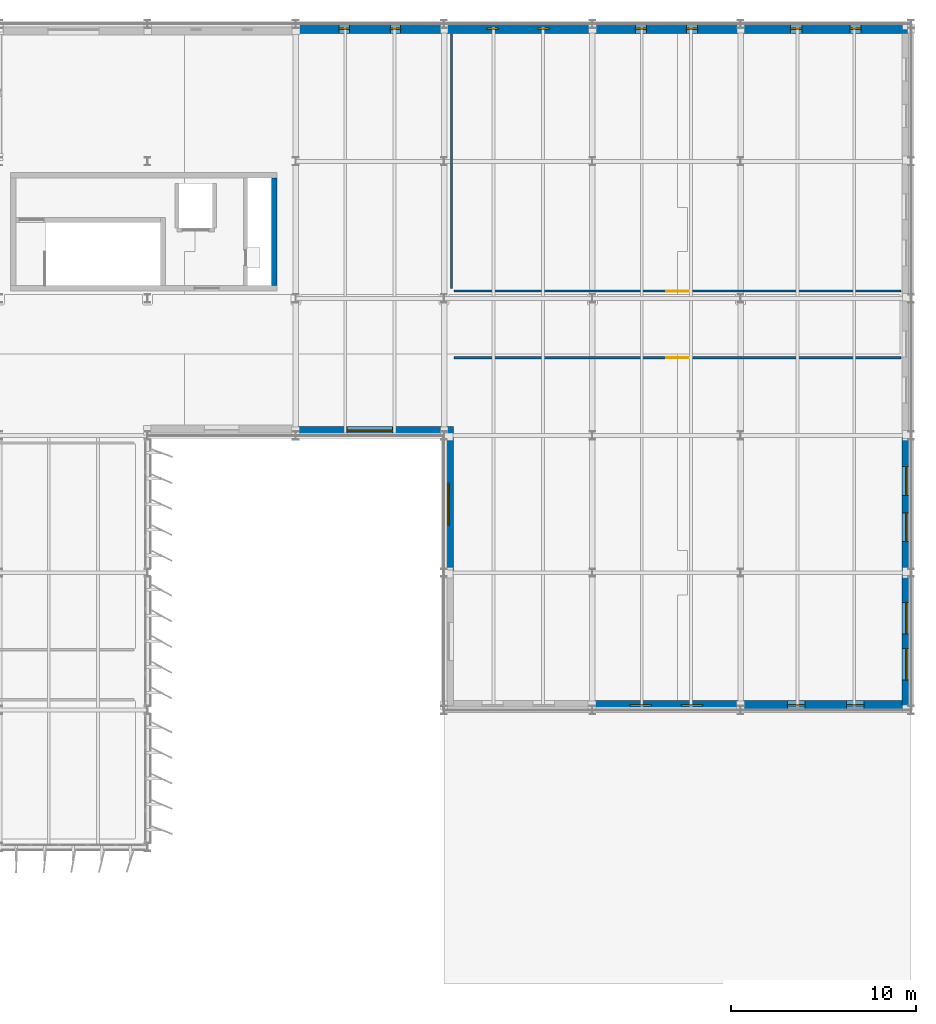
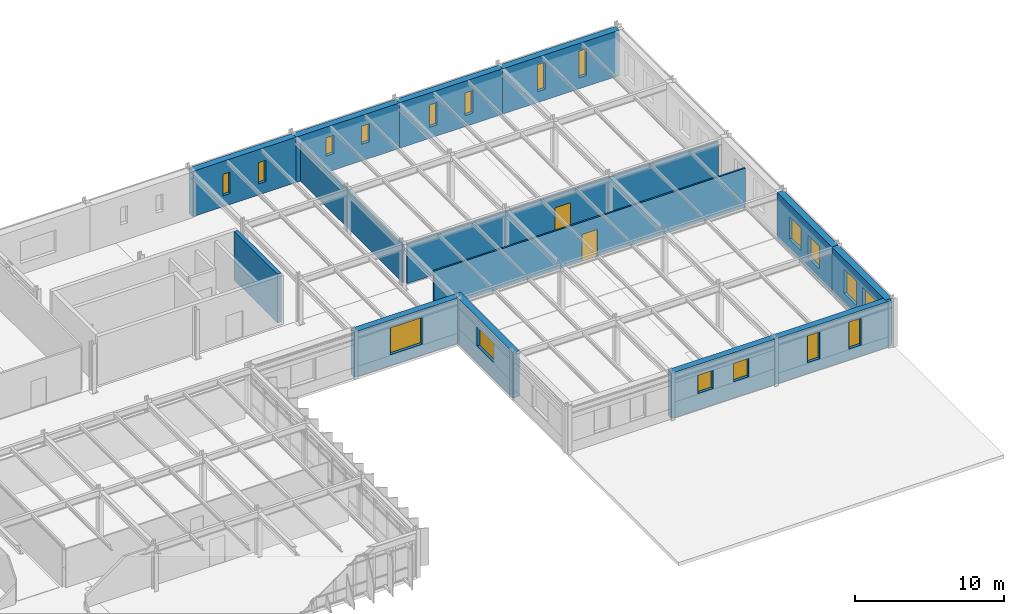
# One storey, part 42 of 56: 18 windows, 14 walls, 2 doors, 20 openings.
"""IFC4 building model written with IfcOpenShell, lengths in metres."""

from ifc_helpers import new_model, si_unit, direction, frame, frame_2d, origin, place, context, subcontext, project, spatial, rectangle, extrude, material, layer, layer_set, type_object, element, fill, save


model = new_model("IFC4")

# Units and contexts
model_context = context("Model", 3, precision=1e-05, world=origin(), true_north=direction((0.0, 1.0)))
body_context = subcontext(model_context, "Body", "Model", "MODEL_VIEW")
ifc_project = project(units=[si_unit("LENGTHUNIT", "METRE"), si_unit("AREAUNIT", "SQUARE_METRE"), si_unit("VOLUMEUNIT", "CUBIC_METRE"), si_unit("PLANEANGLEUNIT", "RADIAN"), si_unit("MASSUNIT", "GRAM", prefix="KILO")], contexts=[model_context])

# Site, building, storey
site_placement = place(None, origin())
site = spatial("IfcSite", under=ifc_project, at=site_placement, CompositionType="ELEMENT")
building_placement = place(site_placement, origin())
building = spatial("IfcBuilding", under=site, at=building_placement, Name="Valkorina Park Police Headquarters", CompositionType="ELEMENT")
storey_placement = place(building_placement, frame((0.0, 0.0, 14.10009765625)))
storey = spatial("IfcBuildingStorey", under=building, at=storey_placement, Name="L04", CompositionType="ELEMENT", Elevation=14.10009765625)

# Wall
ifc_material_1 = material(Name="Concrete C40/50", Category="concrete")
ifc_layer_1 = layer(ifc_material_1, 0.300048828125)
ifc_layer_set_1 = layer_set([ifc_layer_1], Name="Concrete C40/50")
wall_type_1 = type_object("IfcWallType", Name="WL-CORE-300-REI120", PredefinedType="SHEAR", material=ifc_layer_set_1)
wall_1_placement = place(storey_placement, frame((127.64990234375, 67.300048828125, 0.0), z_axis=(0.0, 0.0, 1.0), x_axis=(0.0, 1.0, 0.0)))
element("IfcWall", 1, at=wall_1_placement, inside=storey, type_object=wall_type_1, Name="Core C5 L04 Shear Wall E", PredefinedType="SHEAR", context=body_context, shape_type="SweptSolid", body=[
    extrude(rectangle(XDim=5.800048828125, YDim=0.300048828125, at=frame_2d((2.89990234375, 0.0))), origin(), (0.0, 0.0, 1.0), 3.994873046875),
])

# Wall, openings, windows
ifc_material_2 = material(Name="Precast concrete C40/50", Category="concrete")
ifc_layer_2 = layer(ifc_material_2, 0.5)
ifc_layer_set_2 = layer_set([ifc_layer_2], Name="Precast concrete C40/50")
wall_type_2 = type_object("IfcWallType", Name="WL-EXT-SPANDREL-500", PredefinedType="STANDARD", material=ifc_layer_set_2)
wall_2_placement = place(storey_placement, frame((128.800048828125, 81.14990234375, 0.0), z_axis=(0.0, 0.0, 1.0), x_axis=(1.0, 0.0, 0.0)))
wall_2 = element("IfcWall", 2, at=wall_2_placement, inside=storey, type_object=wall_type_2, Name="L04 Architectural Concrete Exterior Wall 0244", PredefinedType="STANDARD", context=body_context, shape_type="SweptSolid", body=[
    extrude(rectangle(XDim=8.0, YDim=0.5, at=frame_2d((4.0, 0.0))), origin(), (0.0, 0.0, 1.0), 3.719970703125),
])
opening_1_placement = place(wall_2_placement, frame((2.342529296875, 0.0, 0.89990234375)))
opening_1 = element("IfcOpeningElement", 3, at=opening_1_placement, cuts=wall_2, Name="Opening WN-02", PredefinedType="OPENING", context=body_context, shape_type="SweptSolid", body=[
    extrude(rectangle(XDim=0.550048828125, YDim=1.75, at=frame_2d((0.27490234375, 0.875))), frame((0.0, 0.260009765625, 0.0), z_axis=(0.0, -1.0, 0.0), x_axis=(1.0, 0.0, 0.0)), (0.0, 0.0, 1.0), 0.52001953125),
])
opening_2_placement = place(wall_2_placement, frame((5.107421875, 0.0, 0.89990234375)))
opening_2 = element("IfcOpeningElement", 4, at=opening_2_placement, cuts=wall_2, Name="Opening WN-02", PredefinedType="OPENING", context=body_context, shape_type="SweptSolid", body=[
    extrude(rectangle(XDim=0.550048828125, YDim=1.75, at=frame_2d((0.27490234375, 0.875))), frame((0.0, 0.260009765625, 0.0), z_axis=(0.0, -1.0, 0.0), x_axis=(1.0, 0.0, 0.0)), (0.0, 0.0, 1.0), 0.52001953125),
])
ifc_material_3 = material(Name="Triple low-E insulated glazing", Category="glass")
ifc_layer_3 = layer(ifc_material_3, 0.06005859375)
ifc_layer_set_3 = layer_set([ifc_layer_3], Name="Triple low-E insulated glazing")
window_type_1 = type_object("IfcWindowType", Name="WN-SLOT-550x1750", PartitioningType="SINGLE_PANEL", PredefinedType="WINDOW", material=ifc_layer_set_3)
window_1_placement = place(opening_1_placement, origin())
window_1 = element("IfcWindow", 5, at=window_1_placement, inside=storey, type_object=window_type_1, Name="Window L04-0412", OverallHeight=1.75, OverallWidth=0.550048828125, PartitioningType="SINGLE_PANEL", PredefinedType="WINDOW", context=body_context, shape_type="SweptSolid", body=[
    extrude(rectangle(XDim=0.550048828125, YDim=1.75, at=frame_2d((0.27490234375, 0.875))), frame((0.0, 0.030029296875, 0.0), z_axis=(0.0, -1.0, 0.0), x_axis=(1.0, 0.0, 0.0)), (0.0, 0.0, 1.0), 0.06005859375),
])
fill(opening_1, window_1)
window_2_placement = place(opening_2_placement, origin())
window_2 = element("IfcWindow", 6, at=window_2_placement, inside=storey, type_object=window_type_1, Name="Window L04-0413", OverallHeight=1.75, OverallWidth=0.550048828125, PartitioningType="SINGLE_PANEL", PredefinedType="WINDOW", context=body_context, shape_type="SweptSolid", body=[
    extrude(rectangle(XDim=0.550048828125, YDim=1.75, at=frame_2d((0.27490234375, 0.875))), frame((0.0, 0.030029296875, 0.0), z_axis=(0.0, -1.0, 0.0), x_axis=(1.0, 0.0, 0.0)), (0.0, 0.0, 1.0), 0.06005859375),
])
fill(opening_2, window_2)

wall_3_placement = place(storey_placement, frame((136.800048828125, 81.14990234375, 0.0), z_axis=(0.0, 0.0, 1.0), x_axis=(1.0, 0.0, 0.0)))
wall_3 = element("IfcWall", 7, at=wall_3_placement, inside=storey, type_object=wall_type_2, Name="L04 Architectural Concrete Exterior Wall 0245", PredefinedType="STANDARD", context=body_context, shape_type="SweptSolid", body=[
    extrude(rectangle(XDim=8.0, YDim=0.5, at=frame_2d((4.0, 0.0))), origin(), (0.0, 0.0, 1.0), 3.719970703125),
])
opening_3_placement = place(wall_3_placement, frame((2.317626953125, 0.0, 1.35009765625)))
opening_3 = element("IfcOpeningElement", 8, at=opening_3_placement, cuts=wall_3, Name="Opening WN-03", PredefinedType="OPENING", context=body_context, shape_type="SweptSolid", body=[
    extrude(rectangle(XDim=0.60009765625, YDim=1.5, at=frame_2d((0.300048828125, 0.75))), frame((0.0, 0.260009765625, 0.0), z_axis=(0.0, -1.0, 0.0), x_axis=(1.0, 0.0, 0.0)), (0.0, 0.0, 1.0), 0.52001953125),
])
opening_4_placement = place(wall_3_placement, frame((5.08251953125, 0.0, 1.35009765625)))
opening_4 = element("IfcOpeningElement", 9, at=opening_4_placement, cuts=wall_3, Name="Opening WN-03", PredefinedType="OPENING", context=body_context, shape_type="SweptSolid", body=[
    extrude(rectangle(XDim=0.60009765625, YDim=1.5, at=frame_2d((0.300048828125, 0.75))), frame((0.0, 0.260009765625, 0.0), z_axis=(0.0, -1.0, 0.0), x_axis=(1.0, 0.0, 0.0)), (0.0, 0.0, 1.0), 0.52001953125),
])
ifc_layer_4 = layer(ifc_material_3, 0.06005859375)
ifc_layer_set_4 = layer_set([ifc_layer_4], Name="Triple low-E insulated glazing")
window_type_2 = type_object("IfcWindowType", Name="WN-SLOT-600x1500", PartitioningType="SINGLE_PANEL", PredefinedType="WINDOW", material=ifc_layer_set_4)
window_3_placement = place(opening_3_placement, origin())
window_3 = element("IfcWindow", 10, at=window_3_placement, inside=storey, type_object=window_type_2, Name="Window L04-0414", OverallHeight=1.5, OverallWidth=0.60009765625, PartitioningType="SINGLE_PANEL", PredefinedType="WINDOW", context=body_context, shape_type="SweptSolid", body=[
    extrude(rectangle(XDim=0.60009765625, YDim=1.5, at=frame_2d((0.300048828125, 0.75))), frame((0.0, 0.030029296875, 0.0), z_axis=(0.0, -1.0, 0.0), x_axis=(1.0, 0.0, 0.0)), (0.0, 0.0, 1.0), 0.06005859375),
])
fill(opening_3, window_3)
window_4_placement = place(opening_4_placement, origin())
window_4 = element("IfcWindow", 11, at=window_4_placement, inside=storey, type_object=window_type_2, Name="Window L04-0415", OverallHeight=1.5, OverallWidth=0.60009765625, PartitioningType="SINGLE_PANEL", PredefinedType="WINDOW", context=body_context, shape_type="SweptSolid", body=[
    extrude(rectangle(XDim=0.60009765625, YDim=1.5, at=frame_2d((0.300048828125, 0.75))), frame((0.0, 0.030029296875, 0.0), z_axis=(0.0, -1.0, 0.0), x_axis=(1.0, 0.0, 0.0)), (0.0, 0.0, 1.0), 0.06005859375),
])
fill(opening_4, window_4)

wall_4_placement = place(storey_placement, frame((144.800048828125, 81.14990234375, 0.0), z_axis=(0.0, 0.0, 1.0), x_axis=(1.0, 0.0, 0.0)))
wall_4 = element("IfcWall", 12, at=wall_4_placement, inside=storey, type_object=wall_type_2, Name="L04 Architectural Concrete Exterior Wall 0246", PredefinedType="STANDARD", context=body_context, shape_type="SweptSolid", body=[
    extrude(rectangle(XDim=8.0, YDim=0.5, at=frame_2d((4.0, 0.0))), origin(), (0.0, 0.0, 1.0), 3.719970703125),
])
opening_5_placement = place(wall_4_placement, frame((2.317626953125, 0.0, 0.89990234375)))
opening_5 = element("IfcOpeningElement", 13, at=opening_5_placement, cuts=wall_4, Name="Opening WN-04", PredefinedType="OPENING", context=body_context, shape_type="SweptSolid", body=[
    extrude(rectangle(XDim=0.60009765625, YDim=1.85009765625, at=frame_2d((0.300048828125, 0.925048828125))), frame((0.0, 0.260009765625, 0.0), z_axis=(0.0, -1.0, 0.0), x_axis=(1.0, 0.0, 0.0)), (0.0, 0.0, 1.0), 0.52001953125),
])
opening_6_placement = place(wall_4_placement, frame((5.08251953125, 0.0, 0.89990234375)))
opening_6 = element("IfcOpeningElement", 14, at=opening_6_placement, cuts=wall_4, Name="Opening WN-04", PredefinedType="OPENING", context=body_context, shape_type="SweptSolid", body=[
    extrude(rectangle(XDim=0.60009765625, YDim=1.85009765625, at=frame_2d((0.300048828125, 0.925048828125))), frame((0.0, 0.260009765625, 0.0), z_axis=(0.0, -1.0, 0.0), x_axis=(1.0, 0.0, 0.0)), (0.0, 0.0, 1.0), 0.52001953125),
])
ifc_layer_5 = layer(ifc_material_3, 0.06005859375)
ifc_layer_set_5 = layer_set([ifc_layer_5], Name="Triple low-E insulated glazing")
window_type_3 = type_object("IfcWindowType", Name="WN-SLOT-600x1850", PartitioningType="SINGLE_PANEL", PredefinedType="WINDOW", material=ifc_layer_set_5)
window_5_placement = place(opening_5_placement, origin())
window_5 = element("IfcWindow", 15, at=window_5_placement, inside=storey, type_object=window_type_3, Name="Window L04-0416", OverallHeight=1.85009765625, OverallWidth=0.60009765625, PartitioningType="SINGLE_PANEL", PredefinedType="WINDOW", context=body_context, shape_type="SweptSolid", body=[
    extrude(rectangle(XDim=0.60009765625, YDim=1.85009765625, at=frame_2d((0.300048828125, 0.925048828125))), frame((0.0, 0.030029296875, 0.0), z_axis=(0.0, -1.0, 0.0), x_axis=(1.0, 0.0, 0.0)), (0.0, 0.0, 1.0), 0.06005859375),
])
fill(opening_5, window_5)
window_6_placement = place(opening_6_placement, origin())
window_6 = element("IfcWindow", 16, at=window_6_placement, inside=storey, type_object=window_type_3, Name="Window L04-0417", OverallHeight=1.85009765625, OverallWidth=0.60009765625, PartitioningType="SINGLE_PANEL", PredefinedType="WINDOW", context=body_context, shape_type="SweptSolid", body=[
    extrude(rectangle(XDim=0.60009765625, YDim=1.85009765625, at=frame_2d((0.300048828125, 0.925048828125))), frame((0.0, 0.030029296875, 0.0), z_axis=(0.0, -1.0, 0.0), x_axis=(1.0, 0.0, 0.0)), (0.0, 0.0, 1.0), 0.06005859375),
])
fill(opening_6, window_6)

wall_5_placement = place(storey_placement, frame((152.800048828125, 81.14990234375, 0.0), z_axis=(0.0, 0.0, 1.0), x_axis=(1.0, 0.0, 0.0)))
wall_5 = element("IfcWall", 17, at=wall_5_placement, inside=storey, type_object=wall_type_2, Name="L04 Architectural Concrete Exterior Wall 0247", PredefinedType="STANDARD", context=body_context, shape_type="SweptSolid", body=[
    extrude(rectangle(XDim=9.0400390625, YDim=0.5, at=frame_2d((4.52001953125, 0.0))), origin(), (0.0, 0.0, 1.0), 3.719970703125),
])
opening_7_placement = place(wall_5_placement, frame((2.70166015625, 0.0, 0.89990234375)))
opening_7 = element("IfcOpeningElement", 18, at=opening_7_placement, cuts=wall_5, Name="Opening WN-05", PredefinedType="OPENING", context=body_context, shape_type="SweptSolid", body=[
    extrude(rectangle(XDim=0.60009765625, YDim=2.199951171875, at=frame_2d((0.300048828125, 1.10009765625))), frame((0.0, 0.260009765625, 0.0), z_axis=(0.0, -1.0, 0.0), x_axis=(1.0, 0.0, 0.0)), (0.0, 0.0, 1.0), 0.52001953125),
])
opening_8_placement = place(wall_5_placement, frame((5.8984375, 0.0, 0.89990234375)))
opening_8 = element("IfcOpeningElement", 19, at=opening_8_placement, cuts=wall_5, Name="Opening WN-05", PredefinedType="OPENING", context=body_context, shape_type="SweptSolid", body=[
    extrude(rectangle(XDim=0.60009765625, YDim=2.199951171875, at=frame_2d((0.300048828125, 1.10009765625))), frame((0.0, 0.260009765625, 0.0), z_axis=(0.0, -1.0, 0.0), x_axis=(1.0, 0.0, 0.0)), (0.0, 0.0, 1.0), 0.52001953125),
])
ifc_layer_6 = layer(ifc_material_3, 0.06005859375)
ifc_layer_set_6 = layer_set([ifc_layer_6], Name="Triple low-E insulated glazing")
window_type_4 = type_object("IfcWindowType", Name="WN-SLOT-600x2200", PartitioningType="SINGLE_PANEL", PredefinedType="WINDOW", material=ifc_layer_set_6)
window_7_placement = place(opening_7_placement, origin())
window_7 = element("IfcWindow", 20, at=window_7_placement, inside=storey, type_object=window_type_4, Name="Window L04-0418", OverallHeight=2.199951171875, OverallWidth=0.60009765625, PartitioningType="SINGLE_PANEL", PredefinedType="WINDOW", context=body_context, shape_type="SweptSolid", body=[
    extrude(rectangle(XDim=0.60009765625, YDim=2.199951171875, at=frame_2d((0.300048828125, 1.10009765625))), frame((0.0, 0.030029296875, 0.0), z_axis=(0.0, -1.0, 0.0), x_axis=(1.0, 0.0, 0.0)), (0.0, 0.0, 1.0), 0.06005859375),
])
fill(opening_7, window_7)
window_8_placement = place(opening_8_placement, origin())
window_8 = element("IfcWindow", 21, at=window_8_placement, inside=storey, type_object=window_type_4, Name="Window L04-0419", OverallHeight=2.199951171875, OverallWidth=0.60009765625, PartitioningType="SINGLE_PANEL", PredefinedType="WINDOW", context=body_context, shape_type="SweptSolid", body=[
    extrude(rectangle(XDim=0.60009765625, YDim=2.199951171875, at=frame_2d((0.300048828125, 1.10009765625))), frame((0.0, 0.030029296875, 0.0), z_axis=(0.0, -1.0, 0.0), x_axis=(1.0, 0.0, 0.0)), (0.0, 0.0, 1.0), 0.06005859375),
])
fill(opening_8, window_8)

wall_6_placement = place(storey_placement, frame((161.75, 59.199951171875, 0.0), z_axis=(0.0, 0.0, 1.0), x_axis=(0.0, -1.0, 0.0)))
wall_6 = element("IfcWall", 22, at=wall_6_placement, inside=storey, type_object=wall_type_2, Name="L04 Architectural Concrete Exterior Wall 0251", PredefinedType="STANDARD", context=body_context, shape_type="SweptSolid", body=[
    extrude(rectangle(XDim=7.39990234375, YDim=0.5, at=frame_2d((3.699951171875, 0.0))), origin(), (0.0, 0.0, 1.0), 3.719970703125),
])
opening_9_placement = place(wall_6_placement, frame((1.677490234375, 0.0, 0.89990234375)))
opening_9 = element("IfcOpeningElement", 23, at=opening_9_placement, cuts=wall_6, Name="Opening WN-26", PredefinedType="OPENING", context=body_context, shape_type="SweptSolid", body=[
    extrude(rectangle(XDim=1.550048828125, YDim=1.85009765625, at=frame_2d((0.77490234375, 0.925048828125))), frame((0.0, 0.260009765625, 0.0), z_axis=(0.0, -1.0, 0.0), x_axis=(1.0, 0.0, 0.0)), (0.0, 0.0, 1.0), 0.52001953125),
])
opening_10_placement = place(wall_6_placement, frame((4.17236328125, 0.0, 0.89990234375)))
opening_10 = element("IfcOpeningElement", 24, at=opening_10_placement, cuts=wall_6, Name="Opening WN-26", PredefinedType="OPENING", context=body_context, shape_type="SweptSolid", body=[
    extrude(rectangle(XDim=1.550048828125, YDim=1.85009765625, at=frame_2d((0.77490234375, 0.925048828125))), frame((0.0, 0.260009765625, 0.0), z_axis=(0.0, -1.0, 0.0), x_axis=(1.0, 0.0, 0.0)), (0.0, 0.0, 1.0), 0.52001953125),
])
ifc_layer_7 = layer(ifc_material_3, 0.06005859375)
ifc_layer_set_7 = layer_set([ifc_layer_7], Name="Triple low-E insulated glazing")
window_type_5 = type_object("IfcWindowType", Name="WN-COURT-1550x1850", PartitioningType="SINGLE_PANEL", PredefinedType="WINDOW", material=ifc_layer_set_7)
window_9_placement = place(opening_9_placement, origin())
window_9 = element("IfcWindow", 25, at=window_9_placement, inside=storey, type_object=window_type_5, Name="Window L04-0426", OverallHeight=1.85009765625, OverallWidth=1.550048828125, PartitioningType="SINGLE_PANEL", PredefinedType="WINDOW", context=body_context, shape_type="SweptSolid", body=[
    extrude(rectangle(XDim=1.550048828125, YDim=1.85009765625, at=frame_2d((0.77490234375, 0.925048828125))), frame((0.0, 0.030029296875, 0.0), z_axis=(0.0, -1.0, 0.0), x_axis=(1.0, 0.0, 0.0)), (0.0, 0.0, 1.0), 0.06005859375),
])
fill(opening_9, window_9)
window_10_placement = place(opening_10_placement, origin())
window_10 = element("IfcWindow", 26, at=window_10_placement, inside=storey, type_object=window_type_5, Name="Window L04-0427", OverallHeight=1.85009765625, OverallWidth=1.550048828125, PartitioningType="SINGLE_PANEL", PredefinedType="WINDOW", context=body_context, shape_type="SweptSolid", body=[
    extrude(rectangle(XDim=1.550048828125, YDim=1.85009765625, at=frame_2d((0.77490234375, 0.925048828125))), frame((0.0, 0.030029296875, 0.0), z_axis=(0.0, -1.0, 0.0), x_axis=(1.0, 0.0, 0.0)), (0.0, 0.0, 1.0), 0.06005859375),
])
fill(opening_10, window_10)

wall_7_placement = place(storey_placement, frame((161.75, 51.800048828125, 0.0), z_axis=(0.0, 0.0, 1.0), x_axis=(0.0, -1.0, 0.0)))
wall_7 = element("IfcWall", 27, at=wall_7_placement, inside=storey, type_object=wall_type_2, Name="L04 Architectural Concrete Exterior Wall 0252", PredefinedType="STANDARD", context=body_context, shape_type="SweptSolid", body=[
    extrude(rectangle(XDim=7.1650390625, YDim=0.5, at=frame_2d((3.58251953125, 0.0))), origin(), (0.0, 0.0, 1.0), 3.719970703125),
])
opening_11_placement = place(wall_7_placement, frame((1.6025390625, 0.0, 0.89990234375)))
opening_11 = element("IfcOpeningElement", 28, at=opening_11_placement, cuts=wall_7, Name="Opening WN-28", PredefinedType="OPENING", context=body_context, shape_type="SweptSolid", body=[
    extrude(rectangle(XDim=1.699951171875, YDim=2.0, at=frame_2d((0.85009765625, 1.0))), frame((0.0, 0.260009765625, 0.0), z_axis=(0.0, -1.0, 0.0), x_axis=(1.0, 0.0, 0.0)), (0.0, 0.0, 1.0), 0.52001953125),
])
opening_12_placement = place(wall_7_placement, frame((4.097412109375, 0.0, 0.89990234375)))
opening_12 = element("IfcOpeningElement", 29, at=opening_12_placement, cuts=wall_7, Name="Opening WN-28", PredefinedType="OPENING", context=body_context, shape_type="SweptSolid", body=[
    extrude(rectangle(XDim=1.699951171875, YDim=2.0, at=frame_2d((0.85009765625, 1.0))), frame((0.0, 0.260009765625, 0.0), z_axis=(0.0, -1.0, 0.0), x_axis=(1.0, 0.0, 0.0)), (0.0, 0.0, 1.0), 0.52001953125),
])
ifc_layer_8 = layer(ifc_material_3, 0.06005859375)
ifc_layer_set_8 = layer_set([ifc_layer_8], Name="Triple low-E insulated glazing")
window_type_6 = type_object("IfcWindowType", Name="WN-COURT-1700x2000", PartitioningType="SINGLE_PANEL", PredefinedType="WINDOW", material=ifc_layer_set_8)
window_11_placement = place(opening_11_placement, origin())
window_11 = element("IfcWindow", 30, at=window_11_placement, inside=storey, type_object=window_type_6, Name="Window L04-0428", OverallHeight=2.0, OverallWidth=1.699951171875, PartitioningType="SINGLE_PANEL", PredefinedType="WINDOW", context=body_context, shape_type="SweptSolid", body=[
    extrude(rectangle(XDim=1.699951171875, YDim=2.0, at=frame_2d((0.85009765625, 1.0))), frame((0.0, 0.030029296875, 0.0), z_axis=(0.0, -1.0, 0.0), x_axis=(1.0, 0.0, 0.0)), (0.0, 0.0, 1.0), 0.06005859375),
])
fill(opening_11, window_11)
window_12_placement = place(opening_12_placement, origin())
window_12 = element("IfcWindow", 31, at=window_12_placement, inside=storey, type_object=window_type_6, Name="Window L04-0429", OverallHeight=2.0, OverallWidth=1.699951171875, PartitioningType="SINGLE_PANEL", PredefinedType="WINDOW", context=body_context, shape_type="SweptSolid", body=[
    extrude(rectangle(XDim=1.699951171875, YDim=2.0, at=frame_2d((0.85009765625, 1.0))), frame((0.0, 0.030029296875, 0.0), z_axis=(0.0, -1.0, 0.0), x_axis=(1.0, 0.0, 0.0)), (0.0, 0.0, 1.0), 0.06005859375),
])
fill(opening_12, window_12)

wall_8_placement = place(storey_placement, frame((161.840087890625, 44.64990234375, 0.0), z_axis=(0.0, 0.0, 1.0), x_axis=(-1.0, 0.0, 0.0)))
wall_8 = element("IfcWall", 32, at=wall_8_placement, inside=storey, type_object=wall_type_2, Name="L04 Architectural Concrete Exterior Wall 0253", PredefinedType="STANDARD", context=body_context, shape_type="SweptSolid", body=[
    extrude(rectangle(XDim=9.0400390625, YDim=0.5, at=frame_2d((4.52001953125, 0.0))), origin(), (0.0, 0.0, 1.0), 3.719970703125),
])
opening_13_placement = place(wall_8_placement, frame((2.36669921875, 0.0, 0.89990234375)))
opening_13 = element("IfcOpeningElement", 33, at=opening_13_placement, cuts=wall_8, Name="Opening WN-18", PredefinedType="OPENING", context=body_context, shape_type="SweptSolid", body=[
    extrude(rectangle(XDim=0.949951171875, YDim=2.199951171875, at=frame_2d((0.47509765625, 1.10009765625))), frame((0.0, 0.260009765625, 0.0), z_axis=(0.0, -1.0, 0.0), x_axis=(1.0, 0.0, 0.0)), (0.0, 0.0, 1.0), 0.52001953125),
])
opening_14_placement = place(wall_8_placement, frame((5.5634765625, 0.0, 0.89990234375)))
opening_14 = element("IfcOpeningElement", 34, at=opening_14_placement, cuts=wall_8, Name="Opening WN-18", PredefinedType="OPENING", context=body_context, shape_type="SweptSolid", body=[
    extrude(rectangle(XDim=0.949951171875, YDim=2.199951171875, at=frame_2d((0.47509765625, 1.10009765625))), frame((0.0, 0.260009765625, 0.0), z_axis=(0.0, -1.0, 0.0), x_axis=(1.0, 0.0, 0.0)), (0.0, 0.0, 1.0), 0.52001953125),
])
ifc_layer_9 = layer(ifc_material_3, 0.06005859375)
ifc_layer_set_9 = layer_set([ifc_layer_9], Name="Triple low-E insulated glazing")
window_type_7 = type_object("IfcWindowType", Name="WN-SLOT-950x2200", PartitioningType="SINGLE_PANEL", PredefinedType="WINDOW", material=ifc_layer_set_9)
window_13_placement = place(opening_13_placement, origin())
window_13 = element("IfcWindow", 35, at=window_13_placement, inside=storey, type_object=window_type_7, Name="Window L04-0430", OverallHeight=2.199951171875, OverallWidth=0.949951171875, PartitioningType="SINGLE_PANEL", PredefinedType="WINDOW", context=body_context, shape_type="SweptSolid", body=[
    extrude(rectangle(XDim=0.949951171875, YDim=2.199951171875, at=frame_2d((0.47509765625, 1.10009765625))), frame((0.0, 0.030029296875, 0.0), z_axis=(0.0, -1.0, 0.0), x_axis=(1.0, 0.0, 0.0)), (0.0, 0.0, 1.0), 0.06005859375),
])
fill(opening_13, window_13)
window_14_placement = place(opening_14_placement, origin())
window_14 = element("IfcWindow", 36, at=window_14_placement, inside=storey, type_object=window_type_7, Name="Window L04-0431", OverallHeight=2.199951171875, OverallWidth=0.949951171875, PartitioningType="SINGLE_PANEL", PredefinedType="WINDOW", context=body_context, shape_type="SweptSolid", body=[
    extrude(rectangle(XDim=0.949951171875, YDim=2.199951171875, at=frame_2d((0.47509765625, 1.10009765625))), frame((0.0, 0.030029296875, 0.0), z_axis=(0.0, -1.0, 0.0), x_axis=(1.0, 0.0, 0.0)), (0.0, 0.0, 1.0), 0.06005859375),
])
fill(opening_14, window_14)

wall_9_placement = place(storey_placement, frame((152.800048828125, 44.64990234375, 0.0), z_axis=(0.0, 0.0, 1.0), x_axis=(-1.0, 0.0, 0.0)))
wall_9 = element("IfcWall", 37, at=wall_9_placement, inside=storey, type_object=wall_type_2, Name="L04 Architectural Concrete Exterior Wall 0254", PredefinedType="STANDARD", context=body_context, shape_type="SweptSolid", body=[
    extrude(rectangle(XDim=8.0, YDim=0.5, at=frame_2d((4.0, 0.0))), origin(), (0.0, 0.0, 1.0), 3.719970703125),
])
opening_15_placement = place(wall_9_placement, frame((2.04248046875, 0.0, 1.35009765625)))
opening_15 = element("IfcOpeningElement", 38, at=opening_15_placement, cuts=wall_9, Name="Opening WN-19", PredefinedType="OPENING", context=body_context, shape_type="SweptSolid", body=[
    extrude(rectangle(XDim=1.14990234375, YDim=1.5, at=frame_2d((0.574951171875, 0.75))), frame((0.0, 0.260009765625, 0.0), z_axis=(0.0, -1.0, 0.0), x_axis=(1.0, 0.0, 0.0)), (0.0, 0.0, 1.0), 0.52001953125),
])
opening_16_placement = place(wall_9_placement, frame((4.807373046875, 0.0, 1.35009765625)))
opening_16 = element("IfcOpeningElement", 39, at=opening_16_placement, cuts=wall_9, Name="Opening WN-19", PredefinedType="OPENING", context=body_context, shape_type="SweptSolid", body=[
    extrude(rectangle(XDim=1.14990234375, YDim=1.5, at=frame_2d((0.574951171875, 0.75))), frame((0.0, 0.260009765625, 0.0), z_axis=(0.0, -1.0, 0.0), x_axis=(1.0, 0.0, 0.0)), (0.0, 0.0, 1.0), 0.52001953125),
])
ifc_layer_10 = layer(ifc_material_3, 0.06005859375)
ifc_layer_set_10 = layer_set([ifc_layer_10], Name="Triple low-E insulated glazing")
window_type_8 = type_object("IfcWindowType", Name="WN-LAB-1150x1500", PartitioningType="SINGLE_PANEL", PredefinedType="WINDOW", material=ifc_layer_set_10)
window_15_placement = place(opening_15_placement, origin())
window_15 = element("IfcWindow", 40, at=window_15_placement, inside=storey, type_object=window_type_8, Name="Window L04-0432", OverallHeight=1.5, OverallWidth=1.14990234375, PartitioningType="SINGLE_PANEL", PredefinedType="WINDOW", context=body_context, shape_type="SweptSolid", body=[
    extrude(rectangle(XDim=1.14990234375, YDim=1.5, at=frame_2d((0.574951171875, 0.75))), frame((0.0, 0.030029296875, 0.0), z_axis=(0.0, -1.0, 0.0), x_axis=(1.0, 0.0, 0.0)), (0.0, 0.0, 1.0), 0.06005859375),
])
fill(opening_15, window_15)
window_16_placement = place(opening_16_placement, origin())
window_16 = element("IfcWindow", 41, at=window_16_placement, inside=storey, type_object=window_type_8, Name="Window L04-0433", OverallHeight=1.5, OverallWidth=1.14990234375, PartitioningType="SINGLE_PANEL", PredefinedType="WINDOW", context=body_context, shape_type="SweptSolid", body=[
    extrude(rectangle(XDim=1.14990234375, YDim=1.5, at=frame_2d((0.574951171875, 0.75))), frame((0.0, 0.030029296875, 0.0), z_axis=(0.0, -1.0, 0.0), x_axis=(1.0, 0.0, 0.0)), (0.0, 0.0, 1.0), 0.06005859375),
])
fill(opening_16, window_16)

# Wall, opening, window
wall_10_placement = place(storey_placement, frame((137.050048828125, 51.800048828125, 0.0), z_axis=(0.0, 0.0, 1.0), x_axis=(0.0, 1.0, 0.0)))
wall_10 = element("IfcWall", 42, at=wall_10_placement, inside=storey, type_object=wall_type_2, Name="L04 Architectural Concrete Exterior Wall 0257", PredefinedType="STANDARD", context=body_context, shape_type="SweptSolid", body=[
    extrude(rectangle(XDim=7.89990234375, YDim=0.5, at=frame_2d((3.949951171875, 0.0))), origin(), (0.0, 0.0, 1.0), 3.719970703125),
])
opening_17_placement = place(wall_10_placement, frame((2.574951171875, 0.0, 1.35009765625)))
opening_17 = element("IfcOpeningElement", 43, at=opening_17_placement, cuts=wall_10, Name="Opening WN-33", PredefinedType="OPENING", context=body_context, shape_type="SweptSolid", body=[
    extrude(rectangle(XDim=2.25, YDim=1.550048828125, at=frame_2d((1.125, 0.77490234375))), frame((0.0, 0.260009765625, 0.0), z_axis=(0.0, -1.0, 0.0), x_axis=(1.0, 0.0, 0.0)), (0.0, 0.0, 1.0), 0.52001953125),
])
ifc_layer_11 = layer(ifc_material_3, 0.06005859375)
ifc_layer_set_11 = layer_set([ifc_layer_11], Name="Triple low-E insulated glazing")
window_type_9 = type_object("IfcWindowType", Name="WN-GYM-2250x1550", PartitioningType="SINGLE_PANEL", PredefinedType="WINDOW", material=ifc_layer_set_11)
window_17_placement = place(opening_17_placement, origin())
window_17 = element("IfcWindow", 44, at=window_17_placement, inside=storey, type_object=window_type_9, Name="Window L04-0437", OverallHeight=1.550048828125, OverallWidth=2.25, PartitioningType="SINGLE_PANEL", PredefinedType="WINDOW", context=body_context, shape_type="SweptSolid", body=[
    extrude(rectangle(XDim=2.25, YDim=1.550048828125, at=frame_2d((1.125, 0.77490234375))), frame((0.0, 0.030029296875, 0.0), z_axis=(0.0, -1.0, 0.0), x_axis=(1.0, 0.0, 0.0)), (0.0, 0.0, 1.0), 0.06005859375),
])
fill(opening_17, window_17)

wall_11_placement = place(storey_placement, frame((136.800048828125, 59.449951171875, 0.0), z_axis=(0.0, 0.0, 1.0), x_axis=(-1.0, 0.0, 0.0)))
wall_11 = element("IfcWall", 45, at=wall_11_placement, inside=storey, type_object=wall_type_2, Name="L04 Architectural Concrete Exterior Wall 0258", PredefinedType="STANDARD", context=body_context, shape_type="SweptSolid", body=[
    extrude(rectangle(XDim=8.0, YDim=0.5, at=frame_2d((4.0, 0.0))), origin(), (0.0, 0.0, 1.0), 3.719970703125),
])
opening_18_placement = place(wall_11_placement, frame((2.77490234375, 0.0, 0.89990234375)))
opening_18 = element("IfcOpeningElement", 46, at=opening_18_placement, cuts=wall_11, Name="Opening WN-34", PredefinedType="OPENING", context=body_context, shape_type="SweptSolid", body=[
    extrude(rectangle(XDim=2.449951171875, YDim=2.199951171875, at=frame_2d((1.22509765625, 1.10009765625))), frame((0.0, 0.260009765625, 0.0), z_axis=(0.0, -1.0, 0.0), x_axis=(1.0, 0.0, 0.0)), (0.0, 0.0, 1.0), 0.52001953125),
])
ifc_layer_12 = layer(ifc_material_3, 0.06005859375)
ifc_layer_set_12 = layer_set([ifc_layer_12], Name="Triple low-E insulated glazing")
window_type_10 = type_object("IfcWindowType", Name="WN-HALL-2450x2200", PartitioningType="SINGLE_PANEL", PredefinedType="WINDOW", material=ifc_layer_set_12)
window_18_placement = place(opening_18_placement, origin())
window_18 = element("IfcWindow", 47, at=window_18_placement, inside=storey, type_object=window_type_10, Name="Window L04-0438", OverallHeight=2.199951171875, OverallWidth=2.449951171875, PartitioningType="SINGLE_PANEL", PredefinedType="WINDOW", context=body_context, shape_type="SweptSolid", body=[
    extrude(rectangle(XDim=2.449951171875, YDim=2.199951171875, at=frame_2d((1.22509765625, 1.10009765625))), frame((0.0, 0.030029296875, 0.0), z_axis=(0.0, -1.0, 0.0), x_axis=(1.0, 0.0, 0.0)), (0.0, 0.0, 1.0), 0.06005859375),
])
fill(opening_18, window_18)

# Wall, opening, door
ifc_material_4 = material(Name="Gypsum plasterboard")
ifc_layer_13 = layer(ifc_material_4, 0.125)
ifc_layer_set_13 = layer_set([ifc_layer_13], Name="Gypsum plasterboard")
wall_type_3 = type_object("IfcWallType", Name="WL-PART-125-EI30", PredefinedType="PARTITIONING", material=ifc_layer_set_13)
wall_12_placement = place(storey_placement, frame((137.340087890625, 63.39990234375, 0.0), z_axis=(0.0, 0.0, 1.0), x_axis=(1.0, 0.0, 0.0)))
wall_12 = element("IfcWall", 48, at=wall_12_placement, inside=storey, type_object=wall_type_3, Name="L04 Interior Partition 0221 (L04-V6-01)", PredefinedType="PARTITIONING", context=body_context, shape_type="SweptSolid", body=[
    extrude(rectangle(XDim=24.119873046875, YDim=0.125, at=frame_2d((12.06005859375, 0.0))), origin(), (0.0, 0.0, 1.0), 3.2099609375),
])
opening_19_placement = place(wall_12_placement, frame((11.4599609375, 0.0, 0.0)))
opening_19 = element("IfcOpeningElement", 49, at=opening_19_placement, cuts=wall_12, Name="Opening ID-06", PredefinedType="OPENING", context=body_context, shape_type="SweptSolid", body=[
    extrude(rectangle(XDim=1.199951171875, YDim=2.199951171875, at=frame_2d((0.60009765625, 1.10009765625))), frame((0.0, 0.072509765625, 0.0), z_axis=(0.0, -1.0, 0.0), x_axis=(1.0, 0.0, 0.0)), (0.0, 0.0, 1.0), 0.14501953125),
])
ifc_material_5 = material(Name="Thermally broken aluminium AW-6060", Category="aluminium")
ifc_layer_14 = layer(ifc_material_5, 0.050048828125)
ifc_layer_set_14 = layer_set([ifc_layer_14], Name="Thermally broken aluminium AW-6060")
door_type = type_object("IfcDoorType", Name="DR-INT-LAB-1200x2200", OperationType="NOTDEFINED", PredefinedType="DOOR", material=ifc_layer_set_14)
door_1_placement = place(opening_19_placement, origin())
door_1 = element("IfcDoor", 50, at=door_1_placement, inside=storey, type_object=door_type, Name="Door D-L04-I103 (L04-V6-01)", OperationType="SINGLE_SWING_RIGHT", OverallHeight=2.199951171875, OverallWidth=1.199951171875, PredefinedType="DOOR", context=body_context, shape_type="SweptSolid", body=[
    extrude(rectangle(XDim=1.199951171875, YDim=2.199951171875, at=frame_2d((0.60009765625, 1.10009765625))), frame((0.0, 0.02490234375, 0.0), z_axis=(0.0, -1.0, 0.0), x_axis=(1.0, 0.0, 0.0)), (0.0, 0.0, 1.0), 0.050048828125),
])
fill(opening_19, door_1)

wall_13_placement = place(storey_placement, frame((137.340087890625, 67.0, 0.0), z_axis=(0.0, 0.0, 1.0), x_axis=(1.0, 0.0, 0.0)))
wall_13 = element("IfcWall", 51, at=wall_13_placement, inside=storey, type_object=wall_type_3, Name="L04 Interior Partition 0222 (L04-V6-02)", PredefinedType="PARTITIONING", context=body_context, shape_type="SweptSolid", body=[
    extrude(rectangle(XDim=24.119873046875, YDim=0.125, at=frame_2d((12.06005859375, 0.0))), origin(), (0.0, 0.0, 1.0), 3.2099609375),
])
opening_20_placement = place(wall_13_placement, frame((11.4599609375, 0.0, 0.0)))
opening_20 = element("IfcOpeningElement", 52, at=opening_20_placement, cuts=wall_13, Name="Opening ID-06", PredefinedType="OPENING", context=body_context, shape_type="SweptSolid", body=[
    extrude(rectangle(XDim=1.199951171875, YDim=2.199951171875, at=frame_2d((0.60009765625, 1.10009765625))), frame((0.0, 0.072509765625, 0.0), z_axis=(0.0, -1.0, 0.0), x_axis=(1.0, 0.0, 0.0)), (0.0, 0.0, 1.0), 0.14501953125),
])
door_2_placement = place(opening_20_placement, origin())
door_2 = element("IfcDoor", 53, at=door_2_placement, inside=storey, type_object=door_type, Name="Door D-L04-I104 (L04-V6-02)", OperationType="SINGLE_SWING_LEFT", OverallHeight=2.199951171875, OverallWidth=1.199951171875, PredefinedType="DOOR", context=body_context, shape_type="SweptSolid", body=[
    extrude(rectangle(XDim=1.199951171875, YDim=2.199951171875, at=frame_2d((0.60009765625, 1.10009765625))), frame((0.0, 0.02490234375, 0.0), z_axis=(0.0, -1.0, 0.0), x_axis=(1.0, 0.0, 0.0)), (0.0, 0.0, 1.0), 0.050048828125),
])
fill(opening_20, door_2)

# Wall
wall_14_placement = place(storey_placement, frame((137.199951171875, 67.139892578125, 0.0), z_axis=(0.0, 0.0, 1.0), x_axis=(0.0, 1.0, 0.0)))
element("IfcWall", 54, at=wall_14_placement, inside=storey, type_object=wall_type_3, Name="L04 Interior Partition 0223 (L04-V6-02)", PredefinedType="PARTITIONING", context=body_context, shape_type="SweptSolid", body=[
    extrude(rectangle(XDim=13.72021484375, YDim=0.125, at=frame_2d((6.860107421875, 0.0))), origin(), (0.0, 0.0, 1.0), 3.14990234375),
])

save(model, "model.ifc")
